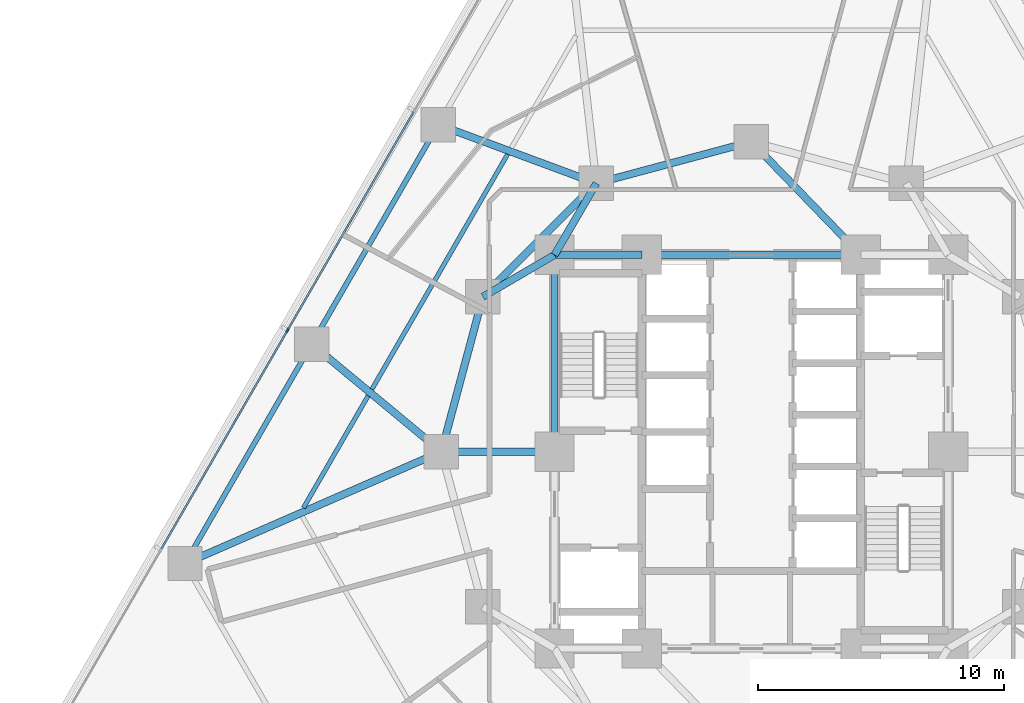
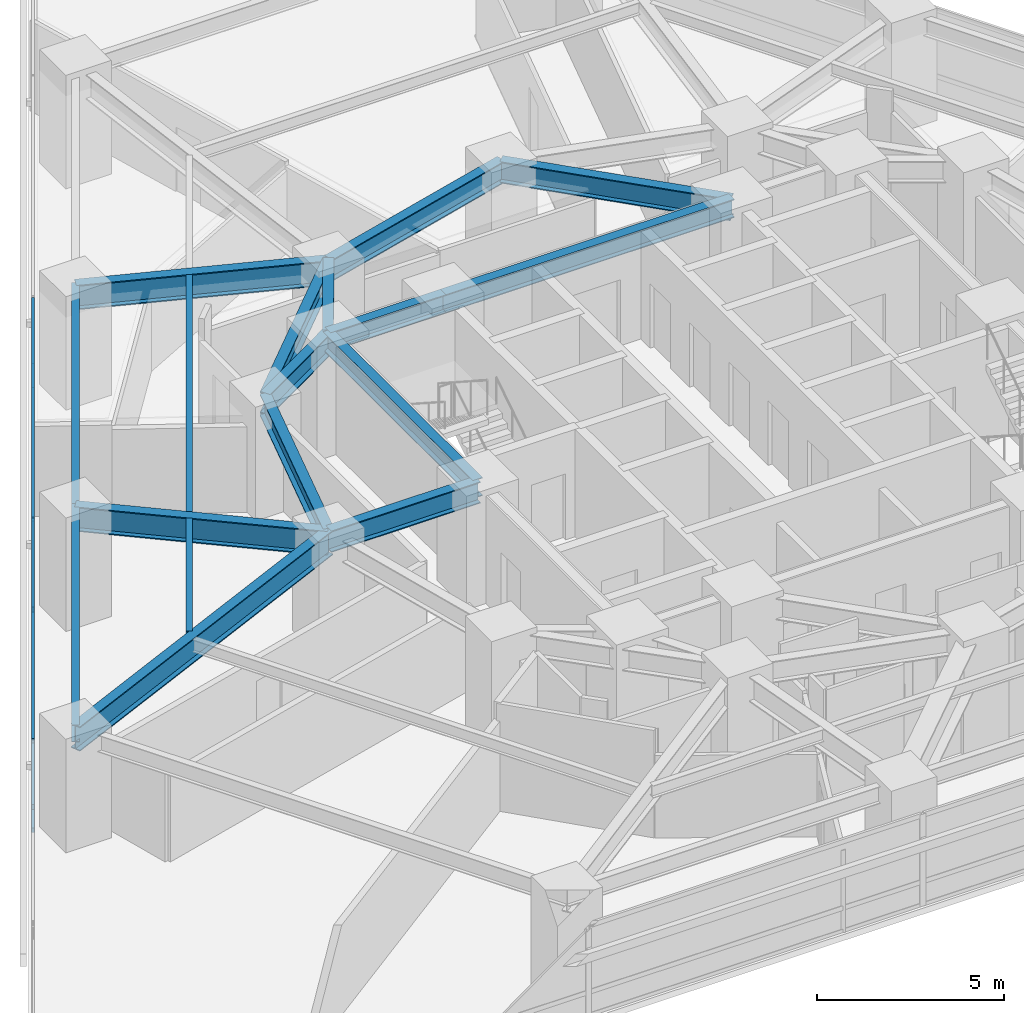
# One storey, part 3 of 16: 17 beams, 7 members, 1 element without a shape of its own.
"""IFC4 building model written with IfcOpenShell, lengths in metres."""

from ifc_helpers import new_model, si_unit, direction, frame, origin, origin_2d, place, context, subcontext, project, spatial, rectangle, i_section, extrude, material, layer, layer_set, material_profile, profile_set, type_object, element, aggregate, save


model = new_model("IFC4")

# Units and contexts
model_context = context("Model", 3, precision=1e-05, world=origin(), true_north=direction((0.0, 1.0)))
body_context = subcontext(model_context, "Body", "Model", "MODEL_VIEW")
ifc_project = project(units=[si_unit("LENGTHUNIT", "METRE"), si_unit("AREAUNIT", "SQUARE_METRE"), si_unit("VOLUMEUNIT", "CUBIC_METRE"), si_unit("PLANEANGLEUNIT", "RADIAN"), si_unit("MASSUNIT", "GRAM", prefix="KILO")], contexts=[model_context])

# Site, building, storey
site_placement = place(None, origin())
site = spatial("IfcSite", under=ifc_project, at=site_placement, CompositionType="ELEMENT")
building_placement = place(site_placement, origin())
building = spatial("IfcBuilding", under=site, at=building_placement, Name="Terralouvre Media Tower", CompositionType="ELEMENT")
storey_placement = place(building_placement, frame((0.0, 0.0, 40.800048828125)))
storey = spatial("IfcBuildingStorey", under=building, at=storey_placement, Name="L09", CompositionType="ELEMENT", Elevation=40.800048828125)

# Beams
ifc_material_1 = material(Name="Structural steel S355J2", Category="steel")
ifc_material_profile_1 = material_profile(ifc_material_1, i_section(OverallWidth=0.179931640625, OverallDepth=0.39990234375, WebThickness=0.008544921875, FlangeThickness=0.013427734375, at=origin_2d()), Name="IPE 400")
ifc_profile_set_1 = profile_set([ifc_material_profile_1], Name="Structural steel S355J2")
beam_type_1 = type_object("IfcBeamType", Name="Composite Floor Joist J-IPE400 (IPE 400)", PredefinedType="JOIST", material=ifc_profile_set_1)
beam_1_placement = place(storey_placement, frame((-9.90869140625, 12.091796875, 3.300048828125), z_axis=(-0.499996323086, -0.866027526641, 0.0), x_axis=(0.866027526641, -0.499996323086, 0.0)))
element("IfcBeam", 1, at=beam_1_placement, inside=storey, type_object=beam_type_1, Name="L09 Framing Beam JT-L09-11", PredefinedType="JOIST", context=body_context, shape_type="SweptSolid", body=[
    extrude(i_section(OverallWidth=0.179931640625, OverallDepth=0.39990234375, WebThickness=0.008544921875, FlangeThickness=0.013427734375, at=origin_2d()), origin(), (0.0, 0.0, 1.0), 11.03466796875),
])
beam_2_placement = place(storey_placement, frame((-15.576171875, 2.275390625, 3.300048828125), z_axis=(-0.500019514865, -0.866014136579, 0.0), x_axis=(0.866014136579, -0.500019514865, 0.0)))
element("IfcBeam", 2, at=beam_2_placement, inside=storey, type_object=beam_type_1, Name="L09 Framing Beam JT-L09-12", PredefinedType="JOIST", context=body_context, shape_type="SweptSolid", body=[
    extrude(i_section(OverallWidth=0.179931640625, OverallDepth=0.39990234375, WebThickness=0.008544921875, FlangeThickness=0.013427734375, at=origin_2d()), origin(), (0.0, 0.0, 1.0), 5.264404296875),
])

# Curtain wall, members
ifc_material_2 = material(Name="Low-iron laminated double glazing with solar-control coating", Category="glass")
ifc_layer = layer(ifc_material_2, 0.1650390625, Name="Lower Media Tower Unitised Curtain Wall CW-02")
ifc_layer_set = layer_set([ifc_layer], Name="Low-iron laminated double glazing with solar-control coating")
curtain_wall_type = type_object("IfcCurtainWallType", Name="Lower Media Tower Unitised Curtain Wall CW-02", PredefinedType="NOTDEFINED", material=ifc_layer_set)
curtain_wall_placement = place(storey_placement, origin())
curtain_wall = element("IfcCurtainWall", 3, at=curtain_wall_placement, inside=storey, type_object=curtain_wall_type, Name="L09 Facade Curtain Wall F2", PredefinedType="NOTDEFINED")
ifc_material_3 = material(Name="Anodised extruded aluminium 6063-T6", Category="aluminium")
ifc_material_profile_2 = material_profile(ifc_material_3, rectangle(XDim=0.074951171875, YDim=0.14990234375, at=origin_2d()), Name="ALU 75x150")
ifc_profile_set_2 = profile_set([ifc_material_profile_2], Name="Anodised extruded aluminium 6063-T6")
member_type_1 = type_object("IfcMemberType", Name="Curtain-Wall Horizontal Transom TR-150", PredefinedType="USERDEFINED", material=ifc_profile_set_2)
member_1_placement = place(storey_placement, frame((-13.72216796875, 13.825927734375, 0.037353515625), z_axis=(-0.50000905659, -0.866020174897, 0.0), x_axis=(0.866020174897, -0.50000905659, 0.0)))
member_1 = element("IfcMember", 4, at=member_1_placement, type_object=member_type_1, Name="CW-02 transom 3.1", ObjectType="TRANSOM", PredefinedType="USERDEFINED", context=body_context, shape_type="SweptSolid", body=[
    extrude(rectangle(XDim=0.074951171875, YDim=0.14990234375, at=origin_2d()), origin(), (0.0, 0.0, 1.0), 10.224853515625),
])
member_2_placement = place(storey_placement, frame((-13.72216796875, 13.825927734375, 0.800048828125), z_axis=(-0.50000905659, -0.866020174897, 0.0), x_axis=(0.866020174897, -0.50000905659, 0.0)))
member_2 = element("IfcMember", 5, at=member_2_placement, type_object=member_type_1, Name="CW-02 transom 3.2", ObjectType="TRANSOM", PredefinedType="USERDEFINED", context=body_context, shape_type="SweptSolid", body=[
    extrude(rectangle(XDim=0.074951171875, YDim=0.14990234375, at=origin_2d()), origin(), (0.0, 0.0, 1.0), 10.224853515625),
])
member_3_placement = place(storey_placement, frame((-13.72216796875, 13.825927734375, 2.96240234375), z_axis=(-0.50000905659, -0.866020174897, 0.0), x_axis=(0.866020174897, -0.50000905659, 0.0)))
member_3 = element("IfcMember", 6, at=member_3_placement, type_object=member_type_1, Name="CW-02 transom 3.3", ObjectType="TRANSOM", PredefinedType="USERDEFINED", context=body_context, shape_type="SweptSolid", body=[
    extrude(rectangle(XDim=0.074951171875, YDim=0.14990234375, at=origin_2d()), origin(), (0.0, 0.0, 1.0), 10.224853515625),
])
member_4_placement = place(storey_placement, frame((-18.872314453125, 4.90576171875, 0.037353515625), z_axis=(-0.499991148707, -0.866030514021, 0.0), x_axis=(0.866030514021, -0.499991148707, 0.0)))
member_4 = element("IfcMember", 7, at=member_4_placement, type_object=member_type_1, Name="CW-02 transom 4.1", ObjectType="TRANSOM", PredefinedType="USERDEFINED", context=body_context, shape_type="SweptSolid", body=[
    extrude(rectangle(XDim=0.074951171875, YDim=0.14990234375, at=origin_2d()), origin(), (0.0, 0.0, 1.0), 10.224853515625),
])
member_5_placement = place(storey_placement, frame((-18.872314453125, 4.90576171875, 0.800048828125), z_axis=(-0.499991148707, -0.866030514021, 0.0), x_axis=(0.866030514021, -0.499991148707, 0.0)))
member_5 = element("IfcMember", 8, at=member_5_placement, type_object=member_type_1, Name="CW-02 transom 4.2", ObjectType="TRANSOM", PredefinedType="USERDEFINED", context=body_context, shape_type="SweptSolid", body=[
    extrude(rectangle(XDim=0.074951171875, YDim=0.14990234375, at=origin_2d()), origin(), (0.0, 0.0, 1.0), 10.224853515625),
])
member_6_placement = place(storey_placement, frame((-18.872314453125, 4.90576171875, 2.96240234375), z_axis=(-0.499991148707, -0.866030514021, 0.0), x_axis=(0.866030514021, -0.499991148707, 0.0)))
member_6 = element("IfcMember", 9, at=member_6_placement, type_object=member_type_1, Name="CW-02 transom 4.3", ObjectType="TRANSOM", PredefinedType="USERDEFINED", context=body_context, shape_type="SweptSolid", body=[
    extrude(rectangle(XDim=0.074951171875, YDim=0.14990234375, at=origin_2d()), origin(), (0.0, 0.0, 1.0), 10.224853515625),
])
ifc_material_4 = material(Name="Anodised extruded aluminium 6063-T6", Category="aluminium")
ifc_material_profile_3 = material_profile(ifc_material_4, rectangle(XDim=0.074951171875, YDim=0.179931640625, at=origin_2d()), Name="ALU 75x180")
ifc_profile_set_3 = profile_set([ifc_material_profile_3], Name="Anodised extruded aluminium 6063-T6")
member_type_2 = type_object("IfcMemberType", Name="Curtain-Wall Vertical Mullion ML-180", PredefinedType="MULLION", material=ifc_profile_set_3)
member_7_placement = place(storey_placement, frame((-18.853515625, 4.938232421875, 0.0), z_axis=(0.0, 0.0, 1.0), x_axis=(0.866025412057, -0.499999985671, 0.0)))
member_7 = element("IfcMember", 10, at=member_7_placement, type_object=member_type_2, Name="CW-02 mullion 4", PredefinedType="MULLION", context=body_context, shape_type="SweptSolid", body=[
    extrude(rectangle(XDim=0.074951171875, YDim=0.179931640625, at=origin_2d()), origin(), (0.0, 0.0, 1.0), 3.0),
])
aggregate(curtain_wall, [member_7, member_1, member_2, member_3, member_4, member_5, member_6])

# Beams
ifc_material_5 = material(Name="Structural steel S355J2", Category="steel")
ifc_material_profile_4 = material_profile(ifc_material_5, i_section(OverallWidth=0.2099609375, OverallDepth=0.550048828125, WebThickness=0.010986328125, FlangeThickness=0.01708984375, at=origin_2d()), Name="IPE 550")
ifc_profile_set_4 = profile_set([ifc_material_profile_4], Name="Structural steel S355J2")
beam_type_2 = type_object("IfcBeamType", Name="Perimeter Spandrel Beam SPB-550 (IPE 550)", PredefinedType="SPANDREL", material=ifc_profile_set_4)
for number, where, z_axis, x_axis, name in (
    (11, (-12.724853515625, 13.29345703125, 3.224853515625), (-0.49998850195, -0.866032042085, 0.0), (0.866032042085, -0.49998850195, 0.0), "L09 Framing Beam BM-L09-PR11"),
    (12, (-17.874755859375, 4.373291015625, 3.224853515625), (-0.500016542852, -0.866015852554, 0.0), (0.866015852554, -0.500016542852, 0.0), "L09 Framing Beam BM-L09-PR12"),
):
    element("IfcBeam", number, at=place(storey_placement, frame(where, z_axis=z_axis, x_axis=x_axis)), inside=storey, type_object=beam_type_2, Name=name, PredefinedType="SPANDREL", context=body_context, shape_type="SweptSolid", body=[
        extrude(i_section(OverallWidth=0.2099609375, OverallDepth=0.550048828125, WebThickness=0.010986328125, FlangeThickness=0.01708984375, at=origin_2d()), origin(), (0.0, 0.0, 1.0), 10.300048828125),
    ])
ifc_material_6 = material(Name="Structural steel S460M", Category="steel")
ifc_material_profile_5 = material_profile(ifc_material_6, i_section(OverallWidth=0.300048828125, OverallDepth=0.60009765625, WebThickness=0.015380859375, FlangeThickness=0.030029296875, at=origin_2d()), Name="HEB 600")
ifc_profile_set_5 = profile_set([ifc_material_profile_5], Name="Structural steel S460M")
beam_type_3 = type_object("IfcBeamType", Name="Primary Floor Girder B-HEB600 (HEB 600)", PredefinedType="BEAM", material=ifc_profile_set_5)
beam_3_placement = place(storey_placement, frame((4.449951171875, 8.0, 3.199951171875), z_axis=(-1.0, 0.0, 0.0), x_axis=(0.0, -1.0, 0.0)))
element("IfcBeam", 13, at=beam_3_placement, inside=storey, type_object=beam_type_3, Name="L09 Framing Beam BM-L09-CPR07", PredefinedType="BEAM", context=body_context, shape_type="SweptSolid", body=[
    extrude(i_section(OverallWidth=0.300048828125, OverallDepth=0.60009765625, WebThickness=0.015380859375, FlangeThickness=0.030029296875, at=origin_2d()), origin(), (0.0, 0.0, 1.0), 8.89990234375),
])
beam_4_placement = place(storey_placement, frame((-4.449951171875, 8.0, 3.199951171875), z_axis=(-1.0, 0.0, 0.0), x_axis=(0.0, -1.0, 0.0)))
element("IfcBeam", 14, at=beam_4_placement, inside=storey, type_object=beam_type_3, Name="L09 Framing Beam BM-L09-CPR08", PredefinedType="BEAM", context=body_context, shape_type="SweptSolid", body=[
    extrude(i_section(OverallWidth=0.300048828125, OverallDepth=0.60009765625, WebThickness=0.015380859375, FlangeThickness=0.030029296875, at=origin_2d()), origin(), (0.0, 0.0, 1.0), 3.550048828125),
])
beam_5_placement = place(storey_placement, frame((-8.0, 8.0, 3.199951171875), z_axis=(0.0, -1.0, 0.0), x_axis=(1.0, 0.0, 0.0)))
element("IfcBeam", 15, at=beam_5_placement, inside=storey, type_object=beam_type_3, Name="L09 Framing Beam BM-L09-CPR09", PredefinedType="BEAM", context=body_context, shape_type="SweptSolid", body=[
    extrude(i_section(OverallWidth=0.300048828125, OverallDepth=0.60009765625, WebThickness=0.015380859375, FlangeThickness=0.030029296875, at=origin_2d()), origin(), (0.0, 0.0, 1.0), 8.0),
])
ifc_material_7 = material(Name="Structural steel S460M", Category="steel")
ifc_material_profile_6 = material_profile(ifc_material_7, i_section(OverallWidth=0.300048828125, OverallDepth=0.699951171875, WebThickness=0.01708984375, FlangeThickness=0.031982421875, at=origin_2d()), Name="HEB 700")
ifc_profile_set_6 = profile_set([ifc_material_profile_6], Name="Structural steel S460M")
beam_type_4 = type_object("IfcBeamType", Name="Primary Floor Girder B-HEB700 (HEB 700)", PredefinedType="BEAM", material=ifc_profile_set_6)
beam_6_placement = place(storey_placement, frame((0.0, 12.60009765625, 3.14990234375), z_axis=(-0.965920481897, -0.258838989821, 0.0), x_axis=(0.258838989821, -0.965920481897, 0.0)))
element("IfcBeam", 16, at=beam_6_placement, inside=storey, type_object=beam_type_4, Name="L09 Framing Beam BM-L09-MR09", PredefinedType="BEAM", context=body_context, shape_type="SweptSolid", body=[
    extrude(i_section(OverallWidth=0.300048828125, OverallDepth=0.699951171875, WebThickness=0.01708984375, FlangeThickness=0.031982421875, at=origin_2d()), origin(), (0.0, 0.0, 1.0), 6.522216796875),
])
beam_7_placement = place(storey_placement, frame((-6.300048828125, 10.911865234375, 3.14990234375), z_axis=(-0.707106781187, -0.707106781187, 0.0), x_axis=(0.707106781187, -0.707106781187, 0.0)))
element("IfcBeam", 17, at=beam_7_placement, inside=storey, type_object=beam_type_4, Name="L09 Framing Beam BM-L09-MR10", PredefinedType="BEAM", context=body_context, shape_type="SweptSolid", body=[
    extrude(i_section(OverallWidth=0.300048828125, OverallDepth=0.699951171875, WebThickness=0.01708984375, FlangeThickness=0.031982421875, at=origin_2d()), origin(), (0.0, 0.0, 1.0), 6.52197265625),
])
beam_8_placement = place(storey_placement, frame((-10.911865234375, 6.300048828125, 3.14990234375), z_axis=(-0.258838989821, -0.965920481897, 0.0), x_axis=(0.965920481897, -0.258838989821, 0.0)))
element("IfcBeam", 18, at=beam_8_placement, inside=storey, type_object=beam_type_4, Name="L09 Framing Beam BM-L09-MR11", PredefinedType="BEAM", context=body_context, shape_type="SweptSolid", body=[
    extrude(i_section(OverallWidth=0.300048828125, OverallDepth=0.699951171875, WebThickness=0.01708984375, FlangeThickness=0.031982421875, at=origin_2d()), origin(), (0.0, 0.0, 1.0), 6.522216796875),
])
beam_9_placement = place(storey_placement, frame((4.449951171875, 8.0, 3.14990234375), z_axis=(-0.695279715726, 0.718739255155, 0.0), x_axis=(-0.718739255155, -0.695279715726, 0.0)))
element("IfcBeam", 19, at=beam_9_placement, inside=storey, type_object=beam_type_4, Name="L09 Framing Beam BM-L09-CM09", PredefinedType="BEAM", context=body_context, shape_type="SweptSolid", body=[
    extrude(i_section(OverallWidth=0.300048828125, OverallDepth=0.699951171875, WebThickness=0.01708984375, FlangeThickness=0.031982421875, at=origin_2d()), origin(), (0.0, 0.0, 1.0), 6.400146484375),
])
for number, where, z_axis, x_axis, name in (
    (20, (-8.0, 8.0, 3.14990234375), (0.504172629717, 0.863602894532, 0.0), (-0.863602894532, 0.504172629717, 0.0), "L09 Framing Beam BM-L09-CM10"),
    (21, (-8.0, 8.0, 3.14990234375), (-0.863602894532, -0.504172629717, 0.0), (0.504172629717, -0.863602894532, 0.0), "L09 Framing Beam BM-L09-CM11"),
):
    element("IfcBeam", number, at=place(storey_placement, frame(where, z_axis=z_axis, x_axis=x_axis)), inside=storey, type_object=beam_type_4, Name=name, PredefinedType="BEAM", context=body_context, shape_type="SweptSolid", body=[
        extrude(i_section(OverallWidth=0.300048828125, OverallDepth=0.699951171875, WebThickness=0.01708984375, FlangeThickness=0.031982421875, at=origin_2d()), origin(), (0.0, 0.0, 1.0), 3.371826171875),
    ])
beam_10_placement = place(storey_placement, frame((-8.0, 0.0, 3.14990234375), z_axis=(-1.0, 0.0, 0.0), x_axis=(0.0, -1.0, 0.0)))
element("IfcBeam", 22, at=beam_10_placement, inside=storey, type_object=beam_type_4, Name="L09 Framing Beam BM-L09-CM12", PredefinedType="BEAM", context=body_context, shape_type="SweptSolid", body=[
    extrude(i_section(OverallWidth=0.300048828125, OverallDepth=0.699951171875, WebThickness=0.01708984375, FlangeThickness=0.031982421875, at=origin_2d()), origin(), (0.0, 0.0, 1.0), 4.60009765625),
])
ifc_material_8 = material(Name="Structural steel S460M", Category="steel")
ifc_material_profile_7 = material_profile(ifc_material_8, i_section(OverallWidth=0.300048828125, OverallDepth=0.800048828125, WebThickness=0.017578125, FlangeThickness=0.032958984375, at=origin_2d()), Name="HEB 800")
ifc_profile_set_7 = profile_set([ifc_material_profile_7], Name="Structural steel S460M")
beam_type_5 = type_object("IfcBeamType", Name="Primary Floor Girder B-HEB800 (HEB 800)", PredefinedType="BEAM", material=ifc_profile_set_7)
beam_11_placement = place(storey_placement, frame((-12.60009765625, 0.0, 3.099853515625), z_axis=(-0.916615903868, -0.399769039291, 0.0), x_axis=(0.399769039291, -0.916615903868, 0.0)))
element("IfcBeam", 23, at=beam_11_placement, inside=storey, type_object=beam_type_5, Name="L09 Framing Beam BM-L09-RD01", PredefinedType="BEAM", context=body_context, shape_type="SweptSolid", body=[
    extrude(i_section(OverallWidth=0.300048828125, OverallDepth=0.800048828125, WebThickness=0.017578125, FlangeThickness=0.032958984375, at=origin_2d()), origin(), (0.0, 0.0, 1.0), 11.373046875),
])
beam_12_placement = place(storey_placement, frame((-6.300048828125, 10.911865234375, 3.099853515625), z_axis=(-0.937652019179, 0.347575446386, 0.0), x_axis=(-0.347575446386, -0.937652019179, 0.0)))
element("IfcBeam", 24, at=beam_12_placement, inside=storey, type_object=beam_type_5, Name="L09 Framing Beam BM-L09-RD11", PredefinedType="BEAM", context=body_context, shape_type="SweptSolid", body=[
    extrude(i_section(OverallWidth=0.300048828125, OverallDepth=0.800048828125, WebThickness=0.017578125, FlangeThickness=0.032958984375, at=origin_2d()), origin(), (0.0, 0.0, 1.0), 6.85205078125),
])
beam_13_placement = place(storey_placement, frame((-12.60009765625, 0.0, 3.099853515625), z_axis=(-0.769816459478, 0.638265320001, 0.0), x_axis=(-0.638265320001, -0.769816459478, 0.0)))
element("IfcBeam", 25, at=beam_13_placement, inside=storey, type_object=beam_type_5, Name="L09 Framing Beam BM-L09-RD12", PredefinedType="BEAM", context=body_context, shape_type="SweptSolid", body=[
    extrude(i_section(OverallWidth=0.300048828125, OverallDepth=0.800048828125, WebThickness=0.017578125, FlangeThickness=0.032958984375, at=origin_2d()), origin(), (0.0, 0.0, 1.0), 6.851806640625),
])

save(model, "model.ifc")
